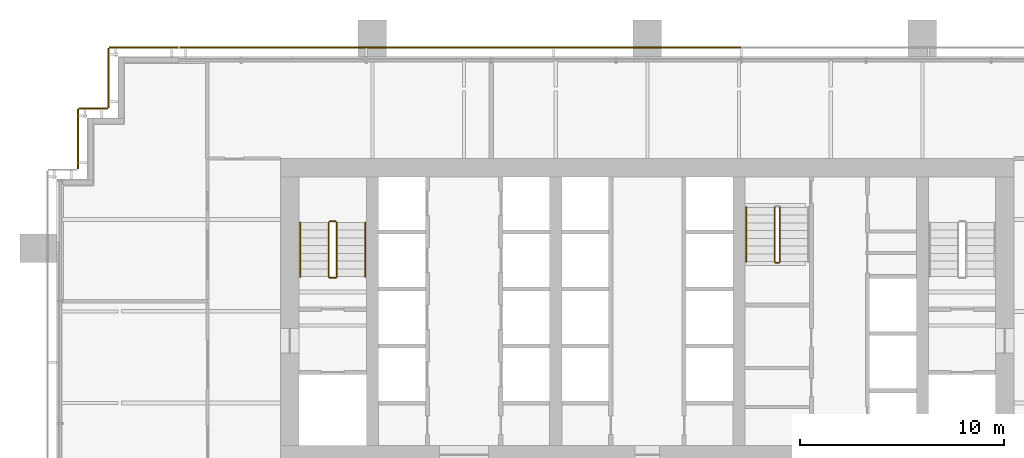
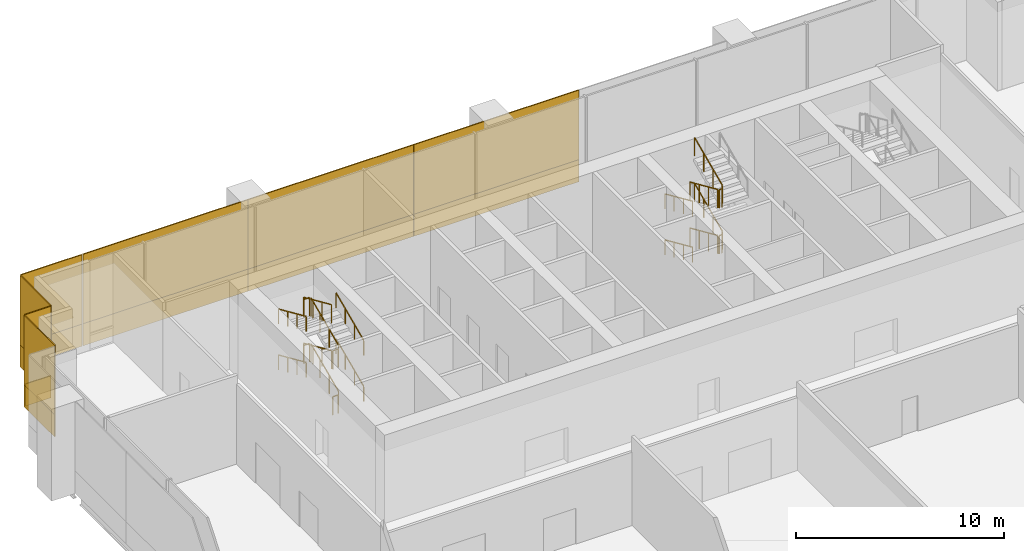
# One storey, part 12 of 14: 20 railings, 14 coverings.
"""IFC4 building model written with IfcOpenShell, lengths in metres."""

from ifc_helpers import new_model, si_unit, direction, frame, origin, origin_2d, place, context, subcontext, project, spatial, rectangle, extrude, material, layer, layer_set, type_object, element, save


model = new_model("IFC4")

# Units and contexts
model_context = context("Model", 3, precision=1e-05, world=origin(), true_north=direction((0.0, 1.0)))
body_context = subcontext(model_context, "Body", "Model", "MODEL_VIEW")
ifc_project = project(units=[si_unit("LENGTHUNIT", "METRE"), si_unit("AREAUNIT", "SQUARE_METRE"), si_unit("VOLUMEUNIT", "CUBIC_METRE"), si_unit("PLANEANGLEUNIT", "RADIAN"), si_unit("MASSUNIT", "GRAM", prefix="KILO")], contexts=[model_context])

# Site, building, storey
site_placement = place(None, origin())
site = spatial("IfcSite", under=ifc_project, at=site_placement, CompositionType="ELEMENT")
building_placement = place(site_placement, origin())
building = spatial("IfcBuilding", under=site, at=building_placement, Name="Rattan Terrace Tower", CompositionType="ELEMENT")
storey_placement = place(building_placement, frame((0.0, 0.0, 120.699951171875)))
storey = spatial("IfcBuildingStorey", under=building, at=storey_placement, Name="L27", CompositionType="ELEMENT", Elevation=120.699951171875)

# Railings
ifc_material_1 = material(Name="Powder-coated steel guard", Category="steel")
railing_type_1 = type_object("IfcRailingType", Name="Core stair guard", PredefinedType="GUARDRAIL", material=ifc_material_1)
railing_1_placement = place(storey_placement, frame((-15.25, 1.699951171875, 0.168701171875)))
element("IfcRailing", 1, at=railing_1_placement, inside=storey, type_object=railing_type_1, Name="L27 S1 stair guard 1", PredefinedType="GUARDRAIL", context=body_context, shape_type="SweptSolid", body=[
    extrude(rectangle(XDim=0.048095703125, YDim=0.048095703125, at=origin_2d()), frame((0.0, 0.0, 1.076171875), z_axis=(0.0, 0.913925654661, 0.405881630223), x_axis=(-1.0, 0.0, 0.0)), (0.0, 0.0, 1.0), 2.91064453125),
    extrude(rectangle(XDim=0.0419921875, YDim=0.0419921875, at=origin_2d()), origin(), (0.0, 0.0, 1.0), 1.052001953125),
    extrude(rectangle(XDim=0.0419921875, YDim=0.0419921875, at=origin_2d()), frame((0.0, 0.88671875, 0.393798828125)), (0.0, 0.0, 1.0), 1.052001953125),
    extrude(rectangle(XDim=0.0419921875, YDim=0.0419921875, at=origin_2d()), frame((0.0, 1.7734375, 0.78759765625)), (0.0, 0.0, 1.0), 1.052001953125),
    extrude(rectangle(XDim=0.0419921875, YDim=0.0419921875, at=origin_2d()), frame((0.0, 2.66015625, 1.181396484375)), (0.0, 0.0, 1.0), 1.052001953125),
])
railing_2_placement = place(storey_placement, frame((-15.300048828125, 4.409912109375, 1.35009765625)))
element("IfcRailing", 2, at=railing_2_placement, inside=storey, type_object=railing_type_1, Name="L27 S1 stair guard 2", PredefinedType="GUARDRAIL", context=body_context, shape_type="SweptSolid", body=[
    extrude(rectangle(XDim=0.048095703125, YDim=0.048095703125, at=origin_2d()), frame((0.0, 0.0, 1.076171875), z_axis=(-1.0, 0.0, 0.0), x_axis=(0.0, -1.0, 0.0)), (0.0, 0.0, 1.0), 0.300048828125),
    extrude(rectangle(XDim=0.0419921875, YDim=0.0419921875, at=origin_2d()), origin(), (0.0, 0.0, 1.0), 1.052001953125),
    extrude(rectangle(XDim=0.0419921875, YDim=0.0419921875, at=origin_2d()), frame((-0.300048828125, 0.0, 0.0)), (0.0, 0.0, 1.0), 1.052001953125),
])
railing_3_placement = place(storey_placement, frame((-15.64990234375, 4.360107421875, 1.518798828125)))
element("IfcRailing", 3, at=railing_3_placement, inside=storey, type_object=railing_type_1, Name="L27 S1 stair guard 3", PredefinedType="GUARDRAIL", context=body_context, shape_type="SweptSolid", body=[
    extrude(rectangle(XDim=0.048095703125, YDim=0.048095703125, at=origin_2d()), frame((0.0, 0.0, 1.076171875), z_axis=(0.0, -0.913956766905, 0.405811567391), x_axis=(1.0, 0.0, 0.0)), (0.0, 0.0, 1.0), 2.91064453125),
    extrude(rectangle(XDim=0.0419921875, YDim=0.0419921875, at=origin_2d()), origin(), (0.0, 0.0, 1.0), 1.052001953125),
    extrude(rectangle(XDim=0.0419921875, YDim=0.0419921875, at=origin_2d()), frame((0.0, -0.88671875, 0.393798828125)), (0.0, 0.0, 1.0), 1.052001953125),
    extrude(rectangle(XDim=0.0419921875, YDim=0.0419921875, at=origin_2d()), frame((0.0, -1.7734375, 0.787353515625)), (0.0, 0.0, 1.0), 1.052001953125),
    extrude(rectangle(XDim=0.0419921875, YDim=0.0419921875, at=origin_2d()), frame((0.0, -2.66015625, 1.18115234375)), (0.0, 0.0, 1.0), 1.052001953125),
])
railing_4_placement = place(storey_placement, frame((-15.300048828125, 1.64990234375, 2.699951171875)))
element("IfcRailing", 4, at=railing_4_placement, inside=storey, type_object=railing_type_1, Name="L27 S1 stair guard 4", PredefinedType="GUARDRAIL", context=body_context, shape_type="SweptSolid", body=[
    extrude(rectangle(XDim=0.048095703125, YDim=0.048095703125, at=origin_2d()), frame((0.0, 0.0, 1.076171875), z_axis=(-1.0, 0.0, 0.0), x_axis=(0.0, -1.0, 0.0)), (0.0, 0.0, 1.0), 0.300048828125),
    extrude(rectangle(XDim=0.0419921875, YDim=0.0419921875, at=origin_2d()), origin(), (0.0, 0.0, 1.0), 1.052001953125),
    extrude(rectangle(XDim=0.0419921875, YDim=0.0419921875, at=origin_2d()), frame((-0.300048828125, 0.0, 0.0)), (0.0, 0.0, 1.0), 1.052001953125),
])
railing_5_placement = place(storey_placement, frame((-15.25, 1.699951171875, 2.868896484375)))
element("IfcRailing", 5, at=railing_5_placement, inside=storey, type_object=railing_type_1, Name="L27 S1 stair guard 5", PredefinedType="GUARDRAIL", context=body_context, shape_type="SweptSolid", body=[
    extrude(rectangle(XDim=0.048095703125, YDim=0.048095703125, at=origin_2d()), frame((0.0, 0.0, 1.076171875), z_axis=(0.0, 0.913956766905, 0.405811567391), x_axis=(-1.0, 0.0, 0.0)), (0.0, 0.0, 1.0), 2.91064453125),
    extrude(rectangle(XDim=0.0419921875, YDim=0.0419921875, at=origin_2d()), origin(), (0.0, 0.0, 1.0), 1.052001953125),
    extrude(rectangle(XDim=0.0419921875, YDim=0.0419921875, at=origin_2d()), frame((0.0, 0.88671875, 0.393798828125)), (0.0, 0.0, 1.0), 1.052001953125),
    extrude(rectangle(XDim=0.0419921875, YDim=0.0419921875, at=origin_2d()), frame((0.0, 1.7734375, 0.787353515625)), (0.0, 0.0, 1.0), 1.052001953125),
    extrude(rectangle(XDim=0.0419921875, YDim=0.0419921875, at=origin_2d()), frame((0.0, 2.66015625, 1.18115234375)), (0.0, 0.0, 1.0), 1.052001953125),
])
railing_6_placement = place(storey_placement, frame((-15.300048828125, 4.409912109375, 4.050048828125)))
element("IfcRailing", 6, at=railing_6_placement, inside=storey, type_object=railing_type_1, Name="L27 S1 stair guard 6", PredefinedType="GUARDRAIL", context=body_context, shape_type="SweptSolid", body=[
    extrude(rectangle(XDim=0.048095703125, YDim=0.048095703125, at=origin_2d()), frame((0.0, 0.0, 1.076171875), z_axis=(-1.0, 0.0, 0.0), x_axis=(0.0, -1.0, 0.0)), (0.0, 0.0, 1.0), 0.300048828125),
    extrude(rectangle(XDim=0.0419921875, YDim=0.0419921875, at=origin_2d()), origin(), (0.0, 0.0, 1.0), 1.052001953125),
    extrude(rectangle(XDim=0.0419921875, YDim=0.0419921875, at=origin_2d()), frame((-0.300048828125, 0.0, 0.0)), (0.0, 0.0, 1.0), 1.052001953125),
])
railing_7_placement = place(storey_placement, frame((-15.64990234375, 4.360107421875, 4.21875)))
element("IfcRailing", 7, at=railing_7_placement, inside=storey, type_object=railing_type_1, Name="L27 S1 stair guard 7", PredefinedType="GUARDRAIL", context=body_context, shape_type="SweptSolid", body=[
    extrude(rectangle(XDim=0.048095703125, YDim=0.048095703125, at=origin_2d()), frame((0.0, 0.0, 1.076171875), z_axis=(0.0, -0.913925654661, 0.405881630223), x_axis=(1.0, 0.0, 0.0)), (0.0, 0.0, 1.0), 2.91064453125),
    extrude(rectangle(XDim=0.0419921875, YDim=0.0419921875, at=origin_2d()), origin(), (0.0, 0.0, 1.0), 1.052001953125),
    extrude(rectangle(XDim=0.0419921875, YDim=0.0419921875, at=origin_2d()), frame((0.0, -0.88671875, 0.393798828125)), (0.0, 0.0, 1.0), 1.052001953125),
    extrude(rectangle(XDim=0.0419921875, YDim=0.0419921875, at=origin_2d()), frame((0.0, -1.7734375, 0.78759765625)), (0.0, 0.0, 1.0), 1.052001953125),
    extrude(rectangle(XDim=0.0419921875, YDim=0.0419921875, at=origin_2d()), frame((0.0, -2.66015625, 1.181396484375)), (0.0, 0.0, 1.0), 1.052001953125),
])
railing_8_placement = place(storey_placement, frame((-15.300048828125, 1.64990234375, 0.0)))
element("IfcRailing", 8, at=railing_8_placement, inside=storey, type_object=railing_type_1, Name="L27 S1 stair guard 8", PredefinedType="GUARDRAIL", context=body_context, shape_type="SweptSolid", body=[
    extrude(rectangle(XDim=0.048095703125, YDim=0.048095703125, at=origin_2d()), frame((0.0, 0.0, 1.076171875), z_axis=(-1.0, 0.0, 0.0), x_axis=(0.0, -1.0, 0.0)), (0.0, 0.0, 1.0), 0.300048828125),
    extrude(rectangle(XDim=0.0419921875, YDim=0.0419921875, at=origin_2d()), origin(), (0.0, 0.0, 1.0), 1.052001953125),
    extrude(rectangle(XDim=0.0419921875, YDim=0.0419921875, at=origin_2d()), frame((-0.300048828125, 0.0, 0.0)), (0.0, 0.0, 1.0), 1.052001953125),
])
railing_9_placement = place(storey_placement, frame((6.25, 5.10009765625, 0.168701171875)))
element("IfcRailing", 9, at=railing_9_placement, inside=storey, type_object=railing_type_1, Name="L27 S3 stair guard 1", PredefinedType="GUARDRAIL", context=body_context, shape_type="SweptSolid", body=[
    extrude(rectangle(XDim=0.048095703125, YDim=0.048095703125, at=origin_2d()), frame((0.0, 0.0, 1.076171875), z_axis=(0.0, -0.913925654661, 0.405881630223), x_axis=(1.0, 0.0, 0.0)), (0.0, 0.0, 1.0), 2.91064453125),
    extrude(rectangle(XDim=0.0419921875, YDim=0.0419921875, at=origin_2d()), origin(), (0.0, 0.0, 1.0), 1.052001953125),
    extrude(rectangle(XDim=0.0419921875, YDim=0.0419921875, at=origin_2d()), frame((0.0, -0.88671875, 0.393798828125)), (0.0, 0.0, 1.0), 1.052001953125),
    extrude(rectangle(XDim=0.0419921875, YDim=0.0419921875, at=origin_2d()), frame((0.0, -1.7734375, 0.78759765625)), (0.0, 0.0, 1.0), 1.052001953125),
    extrude(rectangle(XDim=0.0419921875, YDim=0.0419921875, at=origin_2d()), frame((0.0, -2.66015625, 1.181396484375)), (0.0, 0.0, 1.0), 1.052001953125),
])
railing_10_placement = place(storey_placement, frame((6.300048828125, 2.389892578125, 1.35009765625)))
element("IfcRailing", 10, at=railing_10_placement, inside=storey, type_object=railing_type_1, Name="L27 S3 stair guard 2", PredefinedType="GUARDRAIL", context=body_context, shape_type="SweptSolid", body=[
    extrude(rectangle(XDim=0.048095703125, YDim=0.048095703125, at=origin_2d()), frame((0.0, 0.0, 1.076171875), z_axis=(1.0, 0.0, 0.0), x_axis=(0.0, 1.0, 0.0)), (0.0, 0.0, 1.0), 0.14990234375),
    extrude(rectangle(XDim=0.0419921875, YDim=0.0419921875, at=origin_2d()), origin(), (0.0, 0.0, 1.0), 1.052001953125),
    extrude(rectangle(XDim=0.0419921875, YDim=0.0419921875, at=origin_2d()), frame((0.14990234375, 0.0, 0.0)), (0.0, 0.0, 1.0), 1.052001953125),
])
railing_11_placement = place(storey_placement, frame((6.5, 2.43994140625, 1.518798828125)))
element("IfcRailing", 11, at=railing_11_placement, inside=storey, type_object=railing_type_1, Name="L27 S3 stair guard 3", PredefinedType="GUARDRAIL", context=body_context, shape_type="SweptSolid", body=[
    extrude(rectangle(XDim=0.048095703125, YDim=0.048095703125, at=origin_2d()), frame((0.0, 0.0, 1.076171875), z_axis=(0.0, 0.913956766905, 0.405811567391), x_axis=(-1.0, 0.0, 0.0)), (0.0, 0.0, 1.0), 2.91064453125),
    extrude(rectangle(XDim=0.0419921875, YDim=0.0419921875, at=origin_2d()), origin(), (0.0, 0.0, 1.0), 1.052001953125),
    extrude(rectangle(XDim=0.0419921875, YDim=0.0419921875, at=origin_2d()), frame((0.0, 0.88671875, 0.393798828125)), (0.0, 0.0, 1.0), 1.052001953125),
    extrude(rectangle(XDim=0.0419921875, YDim=0.0419921875, at=origin_2d()), frame((0.0, 1.7734375, 0.787353515625)), (0.0, 0.0, 1.0), 1.052001953125),
    extrude(rectangle(XDim=0.0419921875, YDim=0.0419921875, at=origin_2d()), frame((0.0, 2.66015625, 1.18115234375)), (0.0, 0.0, 1.0), 1.052001953125),
])
railing_12_placement = place(storey_placement, frame((6.25, 5.10009765625, 2.868896484375)))
element("IfcRailing", 12, at=railing_12_placement, inside=storey, type_object=railing_type_1, Name="L27 S3 stair guard 5", PredefinedType="GUARDRAIL", context=body_context, shape_type="SweptSolid", body=[
    extrude(rectangle(XDim=0.048095703125, YDim=0.048095703125, at=origin_2d()), frame((0.0, 0.0, 1.076171875), z_axis=(0.0, -0.913956766905, 0.405811567391), x_axis=(1.0, 0.0, 0.0)), (0.0, 0.0, 1.0), 2.91064453125),
    extrude(rectangle(XDim=0.0419921875, YDim=0.0419921875, at=origin_2d()), origin(), (0.0, 0.0, 1.0), 1.052001953125),
    extrude(rectangle(XDim=0.0419921875, YDim=0.0419921875, at=origin_2d()), frame((0.0, -0.88671875, 0.393798828125)), (0.0, 0.0, 1.0), 1.052001953125),
    extrude(rectangle(XDim=0.0419921875, YDim=0.0419921875, at=origin_2d()), frame((0.0, -1.7734375, 0.787353515625)), (0.0, 0.0, 1.0), 1.052001953125),
    extrude(rectangle(XDim=0.0419921875, YDim=0.0419921875, at=origin_2d()), frame((0.0, -2.66015625, 1.18115234375)), (0.0, 0.0, 1.0), 1.052001953125),
])
railing_13_placement = place(storey_placement, frame((6.300048828125, 2.389892578125, 4.050048828125)))
element("IfcRailing", 13, at=railing_13_placement, inside=storey, type_object=railing_type_1, Name="L27 S3 stair guard 6", PredefinedType="GUARDRAIL", context=body_context, shape_type="SweptSolid", body=[
    extrude(rectangle(XDim=0.048095703125, YDim=0.048095703125, at=origin_2d()), frame((0.0, 0.0, 1.076171875), z_axis=(1.0, 0.0, 0.0), x_axis=(0.0, 1.0, 0.0)), (0.0, 0.0, 1.0), 0.14990234375),
    extrude(rectangle(XDim=0.0419921875, YDim=0.0419921875, at=origin_2d()), origin(), (0.0, 0.0, 1.0), 1.052001953125),
    extrude(rectangle(XDim=0.0419921875, YDim=0.0419921875, at=origin_2d()), frame((0.14990234375, 0.0, 0.0)), (0.0, 0.0, 1.0), 1.052001953125),
])
railing_14_placement = place(storey_placement, frame((6.5, 2.43994140625, 4.21875)))
element("IfcRailing", 14, at=railing_14_placement, inside=storey, type_object=railing_type_1, Name="L27 S3 stair guard 7", PredefinedType="GUARDRAIL", context=body_context, shape_type="SweptSolid", body=[
    extrude(rectangle(XDim=0.048095703125, YDim=0.048095703125, at=origin_2d()), frame((0.0, 0.0, 1.076171875), z_axis=(0.0, 0.913925654661, 0.405881630223), x_axis=(-1.0, 0.0, 0.0)), (0.0, 0.0, 1.0), 2.91064453125),
    extrude(rectangle(XDim=0.0419921875, YDim=0.0419921875, at=origin_2d()), origin(), (0.0, 0.0, 1.0), 1.052001953125),
    extrude(rectangle(XDim=0.0419921875, YDim=0.0419921875, at=origin_2d()), frame((0.0, 0.88671875, 0.393798828125)), (0.0, 0.0, 1.0), 1.052001953125),
    extrude(rectangle(XDim=0.0419921875, YDim=0.0419921875, at=origin_2d()), frame((0.0, 1.7734375, 0.78759765625)), (0.0, 0.0, 1.0), 1.052001953125),
    extrude(rectangle(XDim=0.0419921875, YDim=0.0419921875, at=origin_2d()), frame((0.0, 2.66015625, 1.181396484375)), (0.0, 0.0, 1.0), 1.052001953125),
])
ifc_material_2 = material(Name="Powder-coated steel handrail", Category="steel")
railing_type_2 = type_object("IfcRailingType", Name="Core stair handrail", PredefinedType="HANDRAIL", material=ifc_material_2)
railing_15_placement = place(storey_placement, frame((-13.85009765625, 1.699951171875, 0.168701171875)))
element("IfcRailing", 15, at=railing_15_placement, inside=storey, type_object=railing_type_2, Name="L27 S1 stair handrail 1", PredefinedType="HANDRAIL", context=body_context, shape_type="SweptSolid", body=[
    extrude(rectangle(XDim=0.048095703125, YDim=0.048095703125, at=origin_2d()), frame((0.0, 0.0, 0.8759765625), z_axis=(0.0, 0.913925654661, 0.405881630223), x_axis=(-1.0, 0.0, 0.0)), (0.0, 0.0, 1.0), 2.91064453125),
    extrude(rectangle(XDim=0.0419921875, YDim=0.0419921875, at=origin_2d()), origin(), (0.0, 0.0, 1.0), 0.851806640625),
    extrude(rectangle(XDim=0.0419921875, YDim=0.0419921875, at=origin_2d()), frame((0.0, 0.88671875, 0.393798828125)), (0.0, 0.0, 1.0), 0.851806640625),
    extrude(rectangle(XDim=0.0419921875, YDim=0.0419921875, at=origin_2d()), frame((0.0, 1.7734375, 0.78759765625)), (0.0, 0.0, 1.0), 0.851806640625),
    extrude(rectangle(XDim=0.0419921875, YDim=0.0419921875, at=origin_2d()), frame((0.0, 2.66015625, 1.181396484375)), (0.0, 0.0, 1.0), 0.851806640625),
])
railing_16_placement = place(storey_placement, frame((-17.050048828125, 4.360107421875, 1.518798828125)))
element("IfcRailing", 16, at=railing_16_placement, inside=storey, type_object=railing_type_2, Name="L27 S1 stair handrail 2", PredefinedType="HANDRAIL", context=body_context, shape_type="SweptSolid", body=[
    extrude(rectangle(XDim=0.048095703125, YDim=0.048095703125, at=origin_2d()), frame((0.0, 0.0, 0.8759765625), z_axis=(0.0, -0.913956766905, 0.405811567391), x_axis=(1.0, 0.0, 0.0)), (0.0, 0.0, 1.0), 2.91064453125),
    extrude(rectangle(XDim=0.0419921875, YDim=0.0419921875, at=origin_2d()), origin(), (0.0, 0.0, 1.0), 0.851806640625),
    extrude(rectangle(XDim=0.0419921875, YDim=0.0419921875, at=origin_2d()), frame((0.0, -0.88671875, 0.393798828125)), (0.0, 0.0, 1.0), 0.851806640625),
    extrude(rectangle(XDim=0.0419921875, YDim=0.0419921875, at=origin_2d()), frame((0.0, -1.7734375, 0.787353515625)), (0.0, 0.0, 1.0), 0.851806640625),
    extrude(rectangle(XDim=0.0419921875, YDim=0.0419921875, at=origin_2d()), frame((0.0, -2.66015625, 1.18115234375)), (0.0, 0.0, 1.0), 0.851806640625),
])
railing_17_placement = place(storey_placement, frame((-13.85009765625, 1.699951171875, 2.868896484375)))
element("IfcRailing", 17, at=railing_17_placement, inside=storey, type_object=railing_type_2, Name="L27 S1 stair handrail 3", PredefinedType="HANDRAIL", context=body_context, shape_type="SweptSolid", body=[
    extrude(rectangle(XDim=0.048095703125, YDim=0.048095703125, at=origin_2d()), frame((0.0, 0.0, 0.8759765625), z_axis=(0.0, 0.913956766905, 0.405811567391), x_axis=(-1.0, 0.0, 0.0)), (0.0, 0.0, 1.0), 2.91064453125),
    extrude(rectangle(XDim=0.0419921875, YDim=0.0419921875, at=origin_2d()), origin(), (0.0, 0.0, 1.0), 0.851806640625),
    extrude(rectangle(XDim=0.0419921875, YDim=0.0419921875, at=origin_2d()), frame((0.0, 0.88671875, 0.393798828125)), (0.0, 0.0, 1.0), 0.851806640625),
    extrude(rectangle(XDim=0.0419921875, YDim=0.0419921875, at=origin_2d()), frame((0.0, 1.7734375, 0.787353515625)), (0.0, 0.0, 1.0), 0.851806640625),
    extrude(rectangle(XDim=0.0419921875, YDim=0.0419921875, at=origin_2d()), frame((0.0, 2.66015625, 1.18115234375)), (0.0, 0.0, 1.0), 0.851806640625),
])
for number, where, name in (
    (18, (-17.050048828125, 4.360107421875, 4.21875), "L27 S1 stair handrail 4"),
    (19, (4.85009765625, 5.10009765625, 0.168701171875), "L27 S3 stair handrail 1"),
):
    element("IfcRailing", number, at=place(storey_placement, frame(where)), inside=storey, type_object=railing_type_2, Name=name, PredefinedType="HANDRAIL", context=body_context, shape_type="SweptSolid", body=[
        extrude(rectangle(XDim=0.048095703125, YDim=0.048095703125, at=origin_2d()), frame((0.0, 0.0, 0.8759765625), z_axis=(0.0, -0.913925654661, 0.405881630223), x_axis=(1.0, 0.0, 0.0)), (0.0, 0.0, 1.0), 2.91064453125),
        extrude(rectangle(XDim=0.0419921875, YDim=0.0419921875, at=origin_2d()), origin(), (0.0, 0.0, 1.0), 0.851806640625),
        extrude(rectangle(XDim=0.0419921875, YDim=0.0419921875, at=origin_2d()), frame((0.0, -0.88671875, 0.393798828125)), (0.0, 0.0, 1.0), 0.851806640625),
        extrude(rectangle(XDim=0.0419921875, YDim=0.0419921875, at=origin_2d()), frame((0.0, -1.7734375, 0.78759765625)), (0.0, 0.0, 1.0), 0.851806640625),
        extrude(rectangle(XDim=0.0419921875, YDim=0.0419921875, at=origin_2d()), frame((0.0, -2.66015625, 1.181396484375)), (0.0, 0.0, 1.0), 0.851806640625),
    ])
railing_18_placement = place(storey_placement, frame((4.85009765625, 5.10009765625, 2.868896484375)))
element("IfcRailing", 20, at=railing_18_placement, inside=storey, type_object=railing_type_2, Name="L27 S3 stair handrail 3", PredefinedType="HANDRAIL", context=body_context, shape_type="SweptSolid", body=[
    extrude(rectangle(XDim=0.048095703125, YDim=0.048095703125, at=origin_2d()), frame((0.0, 0.0, 0.8759765625), z_axis=(0.0, -0.913956766905, 0.405811567391), x_axis=(1.0, 0.0, 0.0)), (0.0, 0.0, 1.0), 2.91064453125),
    extrude(rectangle(XDim=0.0419921875, YDim=0.0419921875, at=origin_2d()), origin(), (0.0, 0.0, 1.0), 0.851806640625),
    extrude(rectangle(XDim=0.0419921875, YDim=0.0419921875, at=origin_2d()), frame((0.0, -0.88671875, 0.393798828125)), (0.0, 0.0, 1.0), 0.851806640625),
    extrude(rectangle(XDim=0.0419921875, YDim=0.0419921875, at=origin_2d()), frame((0.0, -1.7734375, 0.787353515625)), (0.0, 0.0, 1.0), 0.851806640625),
    extrude(rectangle(XDim=0.0419921875, YDim=0.0419921875, at=origin_2d()), frame((0.0, -2.66015625, 1.18115234375)), (0.0, 0.0, 1.0), 0.851806640625),
])

# Coverings
ifc_material_3 = material(Name="Solid terracotta", Category="masonry")
ifc_layer_1 = layer(ifc_material_3, 0.06005859375)
ifc_layer_set_1 = layer_set([ifc_layer_1], Name="Facade Terracotta Band Panel")
covering_type_1 = type_object("IfcCoveringType", Name="Facade Terracotta Band Panel", PredefinedType="CLADDING", material=ifc_layer_set_1)
for number, where, z_axis, x_axis, name in (
    (21, (-0.00244140625, 12.949951171875, -0.18994140625), (0.0, 0.0, 1.0), (-1.0, 0.0, 0.0), "OUTER SKIN panel L27-5A"),
    (22, (-9.20361328125, 12.949951171875, -0.18994140625), (0.0, 0.0, 1.0), (-1.0, 0.0, 0.0), "OUTER SKIN panel L27-6A"),
):
    element("IfcCovering", number, at=place(storey_placement, frame(where, z_axis=z_axis, x_axis=x_axis)), inside=storey, type_object=covering_type_1, Name=name, PredefinedType="CLADDING", context=body_context, shape_type="SweptSolid", body=[
        extrude(rectangle(XDim=9.180908203125, YDim=0.06005859375, at=origin_2d()), origin(), (0.0, 0.0, 1.0), 1.300048828125),
    ])
covering_1_placement = place(storey_placement, frame((-18.386962890625, 12.949951171875, -0.18994140625), z_axis=(0.0, 0.0, 1.0), x_axis=(-1.0, 0.0, 0.0)))
element("IfcCovering", 23, at=covering_1_placement, inside=storey, type_object=covering_type_1, Name="OUTER SKIN panel L27-7A", PredefinedType="CLADDING", context=body_context, shape_type="SweptSolid", body=[
    extrude(rectangle(XDim=9.14599609375, YDim=0.06005859375, at=origin_2d()), origin(), (0.0, 0.0, 1.0), 1.300048828125),
])
covering_2_placement = place(storey_placement, frame((-24.72509765625, 12.949951171875, -0.18994140625), z_axis=(0.0, 0.0, 1.0), x_axis=(-1.0, 0.0, 0.0)))
element("IfcCovering", 24, at=covering_2_placement, inside=storey, type_object=covering_type_1, Name="OUTER SKIN panel L27-8A", PredefinedType="CLADDING", context=body_context, shape_type="SweptSolid", body=[
    extrude(rectangle(XDim=3.3701171875, YDim=0.06005859375, at=origin_2d()), origin(), (0.0, 0.0, 1.0), 1.300048828125),
])
covering_3_placement = place(storey_placement, frame((-26.449951171875, 11.449951171875, -0.18994140625), z_axis=(0.0, 0.0, 1.0), x_axis=(0.0, -1.0, 0.0)))
element("IfcCovering", 25, at=covering_3_placement, inside=storey, type_object=covering_type_1, Name="OUTER SKIN panel L27-9A", PredefinedType="CLADDING", context=body_context, shape_type="SweptSolid", body=[
    extrude(rectangle(XDim=2.919921875, YDim=0.06005859375, at=origin_2d()), origin(), (0.0, 0.0, 1.0), 1.300048828125),
])
covering_4_placement = place(storey_placement, frame((-27.199951171875, 9.949951171875, -0.18994140625), z_axis=(0.0, 0.0, 1.0), x_axis=(-1.0, 0.0, 0.0)))
element("IfcCovering", 26, at=covering_4_placement, inside=storey, type_object=covering_type_1, Name="OUTER SKIN panel L27-10A", PredefinedType="CLADDING", context=body_context, shape_type="SweptSolid", body=[
    extrude(rectangle(XDim=1.419921875, YDim=0.06005859375, at=origin_2d()), origin(), (0.0, 0.0, 1.0), 1.300048828125),
])
covering_5_placement = place(storey_placement, frame((-27.949951171875, 8.449951171875, -0.18994140625), z_axis=(0.0, 0.0, 1.0), x_axis=(0.0, -1.0, 0.0)))
element("IfcCovering", 27, at=covering_5_placement, inside=storey, type_object=covering_type_1, Name="OUTER SKIN panel L27-11A", PredefinedType="CLADDING", context=body_context, shape_type="SweptSolid", body=[
    extrude(rectangle(XDim=2.919921875, YDim=0.06005859375, at=origin_2d()), origin(), (0.0, 0.0, 1.0), 1.300048828125),
])
ifc_material_4 = material(Name="Perforated terracotta", Category="masonry")
ifc_layer_2 = layer(ifc_material_4, 0.06005859375)
ifc_layer_set_2 = layer_set([ifc_layer_2], Name="Facade Terracotta Screen Panel")
covering_type_2 = type_object("IfcCoveringType", Name="Facade Terracotta Screen Panel", PredefinedType="CLADDING", material=ifc_layer_set_2)
for number, where, z_axis, x_axis, name in (
    (28, (-0.00244140625, 12.949951171875, 1.110107421875), (0.0, 0.0, 1.0), (-1.0, 0.0, 0.0), "OUTER SKIN panel L27-5B"),
    (29, (-9.20361328125, 12.949951171875, 1.110107421875), (0.0, 0.0, 1.0), (-1.0, 0.0, 0.0), "OUTER SKIN panel L27-6B"),
):
    element("IfcCovering", number, at=place(storey_placement, frame(where, z_axis=z_axis, x_axis=x_axis)), inside=storey, type_object=covering_type_2, Name=name, PredefinedType="CLADDING", context=body_context, shape_type="SweptSolid", body=[
        extrude(rectangle(XDim=9.180908203125, YDim=0.06005859375, at=origin_2d()), origin(), (0.0, 0.0, 1.0), 4.080078125),
    ])
covering_6_placement = place(storey_placement, frame((-18.386962890625, 12.949951171875, 1.110107421875), z_axis=(0.0, 0.0, 1.0), x_axis=(-1.0, 0.0, 0.0)))
element("IfcCovering", 30, at=covering_6_placement, inside=storey, type_object=covering_type_2, Name="OUTER SKIN panel L27-7B", PredefinedType="CLADDING", context=body_context, shape_type="SweptSolid", body=[
    extrude(rectangle(XDim=9.14599609375, YDim=0.06005859375, at=origin_2d()), origin(), (0.0, 0.0, 1.0), 4.080078125),
])
covering_7_placement = place(storey_placement, frame((-24.72509765625, 12.949951171875, 1.110107421875), z_axis=(0.0, 0.0, 1.0), x_axis=(-1.0, 0.0, 0.0)))
element("IfcCovering", 31, at=covering_7_placement, inside=storey, type_object=covering_type_2, Name="OUTER SKIN panel L27-8B", PredefinedType="CLADDING", context=body_context, shape_type="SweptSolid", body=[
    extrude(rectangle(XDim=3.3701171875, YDim=0.06005859375, at=origin_2d()), origin(), (0.0, 0.0, 1.0), 4.080078125),
])
covering_8_placement = place(storey_placement, frame((-26.449951171875, 11.449951171875, 1.110107421875), z_axis=(0.0, 0.0, 1.0), x_axis=(0.0, -1.0, 0.0)))
element("IfcCovering", 32, at=covering_8_placement, inside=storey, type_object=covering_type_2, Name="OUTER SKIN panel L27-9B", PredefinedType="CLADDING", context=body_context, shape_type="SweptSolid", body=[
    extrude(rectangle(XDim=2.919921875, YDim=0.06005859375, at=origin_2d()), origin(), (0.0, 0.0, 1.0), 4.080078125),
])
covering_9_placement = place(storey_placement, frame((-27.199951171875, 9.949951171875, 1.110107421875), z_axis=(0.0, 0.0, 1.0), x_axis=(-1.0, 0.0, 0.0)))
element("IfcCovering", 33, at=covering_9_placement, inside=storey, type_object=covering_type_2, Name="OUTER SKIN panel L27-10B", PredefinedType="CLADDING", context=body_context, shape_type="SweptSolid", body=[
    extrude(rectangle(XDim=1.419921875, YDim=0.06005859375, at=origin_2d()), origin(), (0.0, 0.0, 1.0), 4.080078125),
])
covering_10_placement = place(storey_placement, frame((-27.949951171875, 8.449951171875, 1.110107421875), z_axis=(0.0, 0.0, 1.0), x_axis=(0.0, -1.0, 0.0)))
element("IfcCovering", 34, at=covering_10_placement, inside=storey, type_object=covering_type_2, Name="OUTER SKIN panel L27-11B", PredefinedType="CLADDING", context=body_context, shape_type="SweptSolid", body=[
    extrude(rectangle(XDim=2.919921875, YDim=0.06005859375, at=origin_2d()), origin(), (0.0, 0.0, 1.0), 4.080078125),
])

save(model, "model.ifc")
